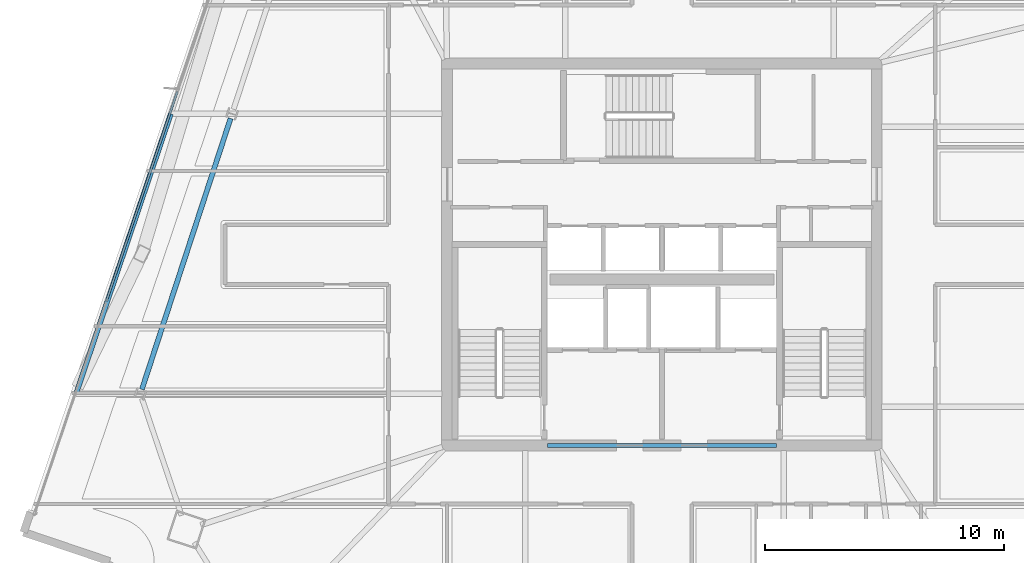
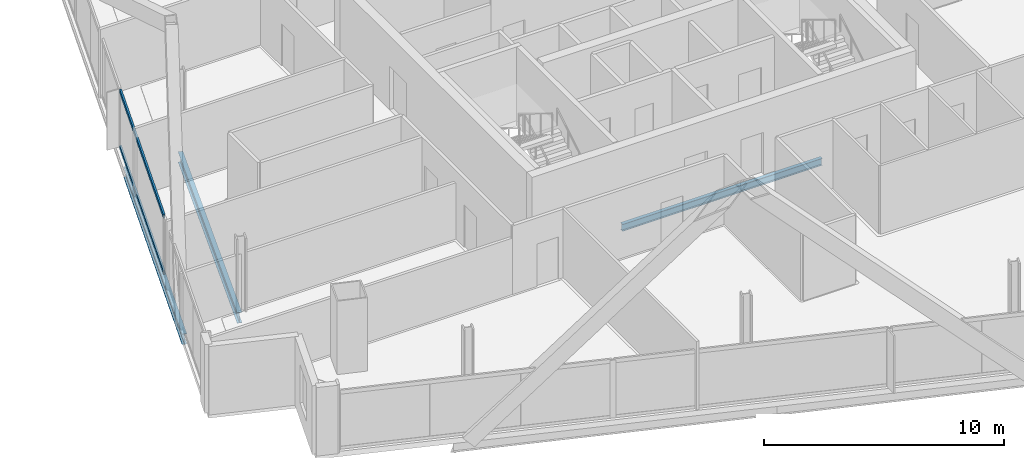
# One storey, part 6 of 29: 3 beams, 2 members, 1 element without a shape of its own.
"""IFC4 building model written with IfcOpenShell, lengths in metres."""

from ifc_helpers import new_model, si_unit, direction, frame, origin, origin_2d, place, context, subcontext, project, spatial, hollow_rectangle, i_section, extrude, material, material_profile, profile_set, type_object, element, aggregate, save


model = new_model("IFC4")

# Units and contexts
model_context = context("Model", 3, precision=1e-05, world=origin(), true_north=direction((0.0, 1.0)))
body_context = subcontext(model_context, "Body", "Model", "MODEL_VIEW")
ifc_project = project(units=[si_unit("LENGTHUNIT", "METRE"), si_unit("AREAUNIT", "SQUARE_METRE"), si_unit("VOLUMEUNIT", "CUBIC_METRE"), si_unit("PLANEANGLEUNIT", "RADIAN"), si_unit("MASSUNIT", "GRAM", prefix="KILO")], contexts=[model_context])

# Site, building, storey
site_placement = place(None, origin())
site = spatial("IfcSite", under=ifc_project, at=site_placement, CompositionType="ELEMENT")
building_placement = place(site_placement, origin())
building = spatial("IfcBuilding", under=site, at=building_placement, Name="Haldenkirk Collegiate Tower", CompositionType="ELEMENT")
storey_placement = place(building_placement, frame((0.0, 0.0, 267.449951171875)))
storey = spatial("IfcBuildingStorey", under=building, at=storey_placement, Name="L67", CompositionType="ELEMENT", Elevation=267.449951171875)

# Beams
ifc_material_1 = material(Name="Steel ASTM A992 Grade 50", Category="steel")
ifc_material_profile_1 = material_profile(ifc_material_1, i_section(OverallWidth=0.1708984375, OverallDepth=0.35595703125, WebThickness=0.007080078125, FlangeThickness=0.01171875, at=origin_2d()), Name="W14X34")
ifc_profile_set_1 = profile_set([ifc_material_profile_1], Name="Steel ASTM A992 Grade 50")
beam_type_1 = type_object("IfcBeamType", Name="BM-LINTEL-W14X34", PredefinedType="LINTEL", material=ifc_profile_set_1)
beam_1_placement = place(storey_placement, frame((31.199951171875, 18.0, -0.447998046875), z_axis=(1.0, 0.0, 0.0), x_axis=(0.0, 1.0, 0.0)))
element("IfcBeam", 1, at=beam_1_placement, inside=storey, type_object=beam_type_1, Name="L67 south core coupling lintel", PredefinedType="LINTEL", context=body_context, shape_type="SweptSolid", body=[
    extrude(i_section(OverallWidth=0.1708984375, OverallDepth=0.35595703125, WebThickness=0.007080078125, FlangeThickness=0.01171875, at=origin_2d()), origin(), (0.0, 0.0, 1.0), 9.60009765625),
])
ifc_material_profile_2 = material_profile(ifc_material_1, i_section(OverallWidth=0.2099609375, OverallDepth=0.537109375, WebThickness=0.010986328125, FlangeThickness=0.017333984375, at=origin_2d()), Name="W21X68")
ifc_profile_set_2 = profile_set([ifc_material_profile_2], Name="Steel ASTM A992 Grade 50")
beam_type_2 = type_object("IfcBeamType", Name="BM-SPANDREL-W21X68", PredefinedType="SPANDREL", material=ifc_profile_set_2)
beam_2_placement = place(storey_placement, frame((17.9267578125, 31.701171875, -0.538330078125), z_axis=(-0.311010188249, -0.950406577631, 0.0), x_axis=(0.950406577631, -0.311010188249, 0.0)))
element("IfcBeam", 2, at=beam_2_placement, inside=storey, type_object=beam_type_2, Name="L67 perimeter spandrel beam 11", PredefinedType="SPANDREL", context=body_context, shape_type="SweptSolid", body=[
    extrude(i_section(OverallWidth=0.2099609375, OverallDepth=0.537109375, WebThickness=0.010986328125, FlangeThickness=0.017333984375, at=origin_2d()), origin(), (0.0, 0.0, 1.0), 11.94287109375),
])
beam_3_placement = place(storey_placement, frame((15.42333984375, 31.8935546875, -0.538330078125), z_axis=(-0.320622557925, -0.947207039327, 0.0), x_axis=(0.947207039327, -0.320622557925, 0.0)))
element("IfcBeam", 3, at=beam_3_placement, inside=storey, type_object=beam_type_2, Name="L67 outer facade edge beam 3B", PredefinedType="SPANDREL", context=body_context, shape_type="SweptSolid", body=[
    extrude(i_section(OverallWidth=0.2099609375, OverallDepth=0.537109375, WebThickness=0.010986328125, FlangeThickness=0.017333984375, at=origin_2d()), origin(), (0.0, 0.0, 1.0), 12.3896484375),
])

# Curtain wall, members
ifc_material_2 = material(Name="Anodised architectural bronze aluminium", Category="aluminium")
curtain_wall_type = type_object("IfcCurtainWallType", Name="CW-SYS1B-CONVEX-HI", PredefinedType="USERDEFINED", material=ifc_material_2)
curtain_wall_placement = place(storey_placement, origin())
curtain_wall = element("IfcCurtainWall", 4, at=curtain_wall_placement, inside=storey, type_object=curtain_wall_type, Name="L67 Upper tower high-wind convex bronze unitised curtain wall", ObjectType="UNITISED CURTAIN WALL", PredefinedType="USERDEFINED")
ifc_material_profile_3 = material_profile(ifc_material_2, hollow_rectangle(XDim=0.0849609375, YDim=0.199951171875, WallThickness=0.0048828125, at=origin_2d()), Name="CW-TRN-1B")
ifc_profile_set_3 = profile_set([ifc_material_profile_3], Name="Anodised architectural bronze aluminium")
member_type = type_object("IfcMemberType", Name="CW-TRN-1B", PredefinedType="USERDEFINED", material=ifc_profile_set_3)
member_1_placement = place(storey_placement, frame((12.7265625, 24.05126953125, 0.04248046875), z_axis=(0.320603812473, 0.947213384316, 0.0), x_axis=(-0.947213384316, 0.320603812473, 0.0)))
member_1 = element("IfcMember", 5, at=member_1_placement, type_object=member_type, Name="CW-1B transom 2.1", ObjectType="TRANSOM", PredefinedType="USERDEFINED", context=body_context, shape_type="SweptSolid", body=[
    extrude(hollow_rectangle(XDim=0.0849609375, YDim=0.199951171875, WallThickness=0.0048828125, at=origin_2d()), origin(), (0.0, 0.0, 1.0), 9.26513671875),
])
member_2_placement = place(storey_placement, frame((12.7265625, 24.05126953125, 2.8955078125), z_axis=(0.320603812473, 0.947213384316, 0.0), x_axis=(-0.947213384316, 0.320603812473, 0.0)))
member_2 = element("IfcMember", 6, at=member_2_placement, type_object=member_type, Name="CW-1B transom 2.2", ObjectType="TRANSOM", PredefinedType="USERDEFINED", context=body_context, shape_type="SweptSolid", body=[
    extrude(hollow_rectangle(XDim=0.0849609375, YDim=0.199951171875, WallThickness=0.0048828125, at=origin_2d()), origin(), (0.0, 0.0, 1.0), 9.26513671875),
])
aggregate(curtain_wall, [member_1, member_2])

save(model, "model.ifc")
